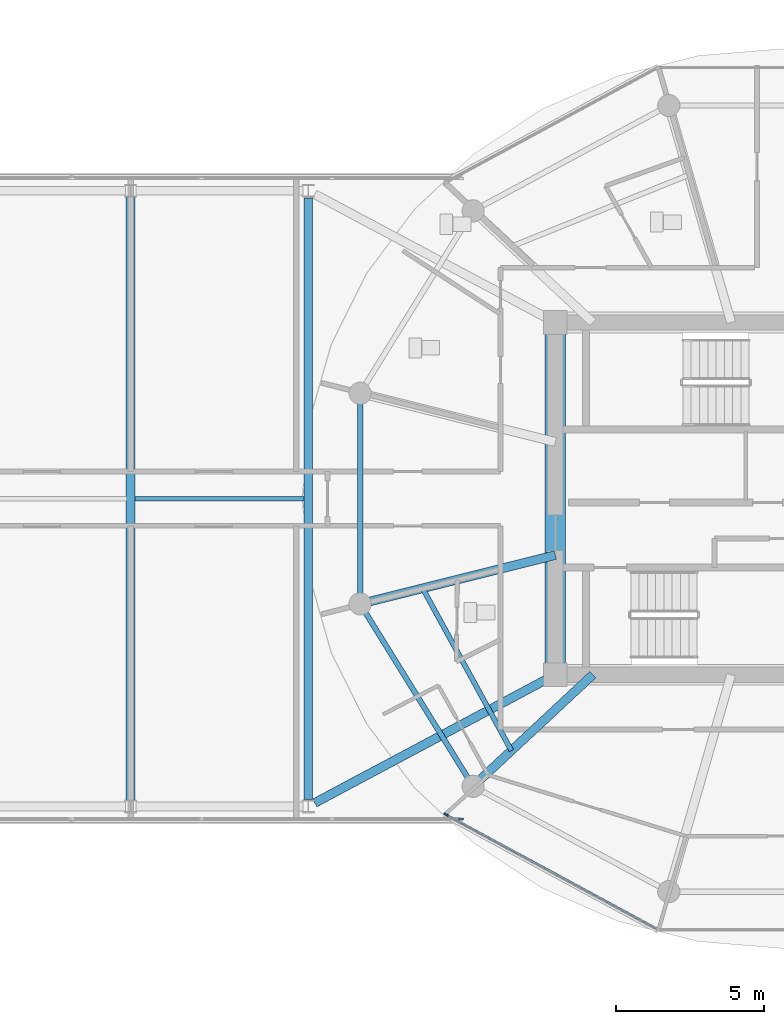
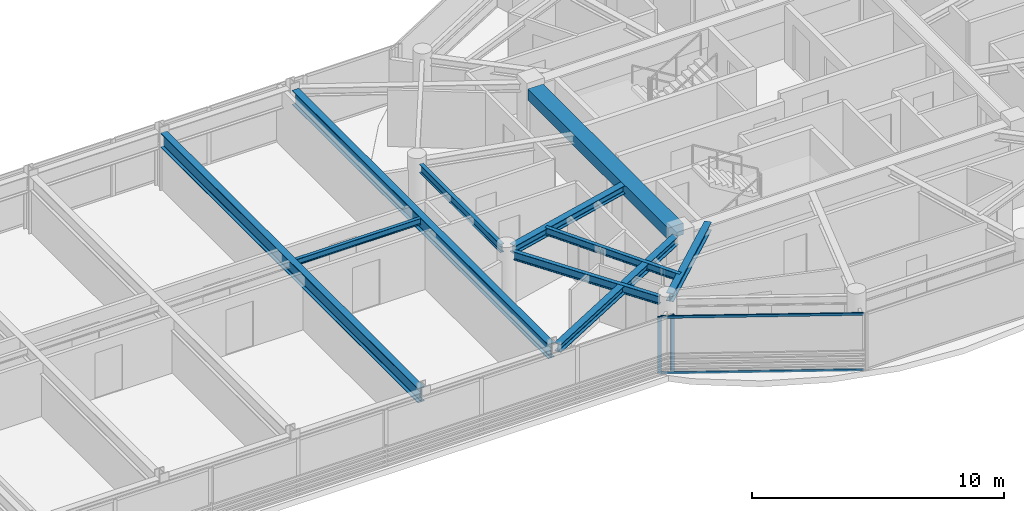
# One storey, part 7 of 26: 10 beams, 4 members, 2 elements without a shape of their own.
"""IFC4 building model written with IfcOpenShell, lengths in metres."""

from ifc_helpers import new_model, si_unit, direction, frame, origin, origin_2d, place, context, subcontext, project, spatial, rectangle, i_section, extrude, source, transform, mapped, material, layer, layer_set, material_profile, profile_set, type_object, type_shapes, element, aggregate, save


model = new_model("IFC4")

# Units and contexts
model_context = context("Model", 3, precision=1e-05, world=origin(), true_north=direction((0.0, 1.0)))
body_context = subcontext(model_context, "Body", "Model", "MODEL_VIEW")
ifc_project = project(units=[si_unit("LENGTHUNIT", "METRE"), si_unit("AREAUNIT", "SQUARE_METRE"), si_unit("VOLUMEUNIT", "CUBIC_METRE"), si_unit("PLANEANGLEUNIT", "RADIAN"), si_unit("MASSUNIT", "GRAM", prefix="KILO")], contexts=[model_context])

# Site, building, storey
site_placement = place(None, origin())
site = spatial("IfcSite", under=ifc_project, at=site_placement, CompositionType="ELEMENT")
building_placement = place(site_placement, origin())
building = spatial("IfcBuilding", under=site, at=building_placement, Name="Norrkilde Senior Care Towers", CompositionType="ELEMENT")
storey_placement = place(building_placement, frame((0.0, 0.0, 210.85009765625)))
storey = spatial("IfcBuildingStorey", under=building, at=storey_placement, Name="L65", CompositionType="ELEMENT", Elevation=210.85009765625)

# Beams
ifc_material_1 = material(Name="Concrete C60/75", Category="concrete")
ifc_material_profile_1 = material_profile(ifc_material_1, rectangle(XDim=0.699951171875, YDim=0.550048828125, at=origin_2d()), Name="RC BM 700x550")
ifc_profile_set_1 = profile_set([ifc_material_profile_1], Name="Concrete C60/75")
beam_type_1 = type_object("IfcBeamType", Name="Core Portal Coupling Beam 700x550", PredefinedType="USERDEFINED", material=ifc_profile_set_1)
shared_shape_1 = source(origin(), body_context, "Body", "SweptSolid", [
    extrude(rectangle(XDim=0.699951171875, YDim=0.550048828125, at=origin_2d()), origin(), (0.0, 0.0, 1.0), 11.14013671875),
])
type_shapes(beam_type_1, [shared_shape_1])
beam_1_placement = place(storey_placement, frame((20.35009765625, -5.570068359375, 2.48486328125), z_axis=(0.0, 1.0, 0.0), x_axis=(-1.0, 0.0, 0.0)))
element("IfcBeam", 1, at=beam_1_placement, inside=storey, type_object=beam_type_1, Name="L65 Core E W Coupling Girder", ObjectType="GIRDER", PredefinedType="USERDEFINED", context=body_context, shape_type="MappedRepresentation", body=[
    mapped(shared_shape_1, transform((0.0, 0.0, 0.0), x_axis=(1.0, 0.0, 0.0), y_axis=(0.0, 1.0, 0.0), z_axis=(0.0, 0.0, 1.0), scale=1.0)),
])
ifc_material_2 = material(Name="Steel S355", Category="steel")
ifc_material_profile_2 = material_profile(ifc_material_2, i_section(OverallWidth=0.179931640625, OverallDepth=0.39990234375, WebThickness=0.008544921875, FlangeThickness=0.013427734375, FilletRadius=0.02099609375, at=origin_2d()), Name="IPE 400")
ifc_profile_set_2 = profile_set([ifc_material_profile_2], Name="Steel S355")
beam_type_2 = type_object("IfcBeamType", Name="Perimeter Ring Spandrel Z4 IPE400", PredefinedType="SPANDREL", material=ifc_profile_set_2)
shared_shape_2 = source(origin(), body_context, "Body", "SweptSolid", [
    extrude(i_section(OverallWidth=0.179931640625, OverallDepth=0.39990234375, WebThickness=0.008544921875, FlangeThickness=0.013427734375, FilletRadius=0.02099609375, at=origin_2d()), origin(), (0.0, 0.0, 1.0), 6.58056640625),
])
beam_2_placement = place(storey_placement, frame((13.928955078125, -3.843505859375, 2.559814453125), z_axis=(0.526529583789, -0.850156807533, 0.0), x_axis=(0.850156807533, 0.526529583789, 0.0)))
element("IfcBeam", 2, at=beam_2_placement, inside=storey, type_object=beam_type_2, Name="L65 Drum E Perimeter Spandrel 07", PredefinedType="SPANDREL", context=body_context, shape_type="MappedRepresentation", body=[
    mapped(shared_shape_2, transform((0.0, 0.0, 0.0), x_axis=(1.0, 0.0, 0.0), y_axis=(0.0, 1.0, 0.0), z_axis=(0.0, 0.0, 1.0), scale=1.0)),
])
ifc_material_profile_3 = material_profile(ifc_material_2, i_section(OverallWidth=0.300048828125, OverallDepth=0.39990234375, WebThickness=0.013427734375, FlangeThickness=0.02392578125, FilletRadius=0.027099609375, at=origin_2d()), Name="HEB 400")
ifc_profile_set_3 = profile_set([ifc_material_profile_3], Name="Steel S355")
beam_type_3 = type_object("IfcBeamType", Name="Radial Floor Beam Z4 HEB400", PredefinedType="BEAM", material=ifc_profile_set_3)
shared_shape_3 = source(origin(), body_context, "Body", "SweptSolid", [
    extrude(i_section(OverallWidth=0.300048828125, OverallDepth=0.39990234375, WebThickness=0.013427734375, FlangeThickness=0.02392578125, FilletRadius=0.027099609375, at=origin_2d()), origin(), (0.0, 0.0, 1.0), 6.465087890625),
])
beam_3_placement = place(storey_placement, frame((20.35009765625, -1.910888671875, 2.559814453125), z_axis=(-0.970195788563, -0.242322371758, 0.0), x_axis=(0.242322371758, -0.970195788563, 0.0)))
element("IfcBeam", 3, at=beam_3_placement, inside=storey, type_object=beam_type_3, Name="L65 Drum E Radial Floor Beam 07", PredefinedType="BEAM", context=body_context, shape_type="MappedRepresentation", body=[
    mapped(shared_shape_3, transform((0.0, 0.0, 0.0), x_axis=(1.0, 0.0, 0.0), y_axis=(0.0, 1.0, 0.0), z_axis=(0.0, 0.0, 1.0), scale=1.0)),
])
shared_shape_4 = source(origin(), body_context, "Body", "SweptSolid", [
    extrude(i_section(OverallWidth=0.300048828125, OverallDepth=0.39990234375, WebThickness=0.013427734375, FlangeThickness=0.02392578125, FilletRadius=0.027099609375, at=origin_2d()), origin(), (0.0, 0.0, 1.0), 5.197998046875),
])
beam_4_placement = place(storey_placement, frame((21.6171875, -5.949951171875, 2.559814453125), z_axis=(-0.731448749334, -0.681896419625, 0.0), x_axis=(0.681896419625, -0.731448749334, 0.0)))
element("IfcBeam", 4, at=beam_4_placement, inside=storey, type_object=beam_type_3, Name="L65 Drum E Radial Floor Beam 08", PredefinedType="BEAM", context=body_context, shape_type="MappedRepresentation", body=[
    mapped(shared_shape_4, transform((0.0, 0.0, 0.0), x_axis=(1.0, 0.0, 0.0), y_axis=(0.0, 1.0, 0.0), z_axis=(0.0, 0.0, 1.0), scale=1.0)),
])
shared_shape_5 = source(origin(), body_context, "Body", "SweptSolid", [
    extrude(i_section(OverallWidth=0.179931640625, OverallDepth=0.39990234375, WebThickness=0.008544921875, FlangeThickness=0.013427734375, FilletRadius=0.02099609375, at=origin_2d()), origin(), (0.0, 0.0, 1.0), 6.44775390625),
])
type_shapes(beam_type_2, [shared_shape_2, shared_shape_5])
beam_5_placement = place(storey_placement, frame((13.752685546875, 3.223876953125, 2.559814453125), z_axis=(0.0, -1.0, 0.0), x_axis=(1.0, 0.0, 0.0)))
element("IfcBeam", 5, at=beam_5_placement, inside=storey, type_object=beam_type_2, Name="L65 Drum E Perimeter Spandrel 06", PredefinedType="SPANDREL", context=body_context, shape_type="MappedRepresentation", body=[
    mapped(shared_shape_5, transform((0.0, 0.0, 0.0), x_axis=(1.0, 0.0, 0.0), y_axis=(0.0, 1.0, 0.0), z_axis=(0.0, 0.0, 1.0), scale=1.0)),
])
ifc_material_profile_4 = material_profile(ifc_material_2, i_section(OverallWidth=0.169921875, OverallDepth=0.360107421875, WebThickness=0.008056640625, FlangeThickness=0.0126953125, FilletRadius=0.01806640625, at=origin_2d()), Name="IPE 360")
ifc_profile_set_4 = profile_set([ifc_material_profile_4], Name="Steel S355")
beam_type_4 = type_object("IfcBeamType", Name="Secondary Floor Joist IPE360", PredefinedType="JOIST", material=ifc_profile_set_4)
shared_shape_6 = source(origin(), body_context, "Body", "SweptSolid", [
    extrude(i_section(OverallWidth=0.169921875, OverallDepth=0.360107421875, WebThickness=0.008056640625, FlangeThickness=0.0126953125, FilletRadius=0.01806640625, at=origin_2d()), origin(), (0.0, 0.0, 1.0), 6.25146484375),
])
type_shapes(beam_type_4, [shared_shape_6])
beam_6_placement = place(storey_placement, frame((15.86376953125, -3.031494140625, 2.579833984375), z_axis=(0.480115752653, -0.877205143655, 0.0), x_axis=(0.877205143655, 0.480115752653, 0.0)))
element("IfcBeam", 6, at=beam_6_placement, inside=storey, type_object=beam_type_4, Name="L65 Drum E Secondary Floor Joist 3", PredefinedType="JOIST", context=body_context, shape_type="MappedRepresentation", body=[
    mapped(shared_shape_6, transform((0.0, 0.0, 0.0), x_axis=(1.0, 0.0, 0.0), y_axis=(0.0, 1.0, 0.0), z_axis=(0.0, 0.0, 1.0), scale=1.0)),
])
ifc_material_profile_5 = material_profile(ifc_material_2, i_section(OverallWidth=0.300048828125, OverallDepth=0.699951171875, WebThickness=0.01708984375, FlangeThickness=0.031982421875, FilletRadius=0.027099609375, at=origin_2d()), Name="HEB 700")
ifc_profile_set_5 = profile_set([ifc_material_profile_5], Name="Steel S355")
beam_type_5 = type_object("IfcBeamType", Name="Bridge Cross Girder HEB700", PredefinedType="USERDEFINED", material=ifc_profile_set_5)
shared_shape_7 = source(origin(), body_context, "Body", "SweptSolid", [
    extrude(i_section(OverallWidth=0.300048828125, OverallDepth=0.699951171875, WebThickness=0.01708984375, FlangeThickness=0.031982421875, FilletRadius=0.027099609375, at=origin_2d()), origin(), (0.0, 0.0, 1.0), 20.31982421875),
])
beam_7_placement = place(storey_placement, frame((12.0, -10.159912109375, 2.409912109375), z_axis=(0.0, 1.0, 0.0), x_axis=(-1.0, 0.0, 0.0)))
element("IfcBeam", 7, at=beam_7_placement, inside=storey, type_object=beam_type_5, Name="L65 Sky-Gate Bridge Cross Girder +12", ObjectType="GIRDER", PredefinedType="USERDEFINED", context=body_context, shape_type="MappedRepresentation", body=[
    mapped(shared_shape_7, transform((0.0, 0.0, 0.0), x_axis=(1.0, 0.0, 0.0), y_axis=(0.0, 1.0, 0.0), z_axis=(0.0, 0.0, 1.0), scale=1.0)),
])
shared_shape_8 = source(origin(), body_context, "Body", "SweptSolid", [
    extrude(i_section(OverallWidth=0.300048828125, OverallDepth=0.699951171875, WebThickness=0.01708984375, FlangeThickness=0.031982421875, FilletRadius=0.027099609375, at=origin_2d()), origin(), (0.0, 0.0, 1.0), 20.43994140625),
])
type_shapes(beam_type_5, [shared_shape_7, shared_shape_8])
beam_8_placement = place(storey_placement, frame((6.0, -10.219970703125, 2.409912109375), z_axis=(0.0, 1.0, 0.0), x_axis=(-1.0, 0.0, 0.0)))
element("IfcBeam", 8, at=beam_8_placement, inside=storey, type_object=beam_type_5, Name="L65 Sky-Gate Bridge Cross Girder +6", ObjectType="GIRDER", PredefinedType="USERDEFINED", context=body_context, shape_type="MappedRepresentation", body=[
    mapped(shared_shape_8, transform((0.0, 0.0, 0.0), x_axis=(1.0, 0.0, 0.0), y_axis=(0.0, 1.0, 0.0), z_axis=(0.0, 0.0, 1.0), scale=1.0)),
])
shared_shape_9 = source(origin(), body_context, "Body", "SweptSolid", [
    extrude(i_section(OverallWidth=0.300048828125, OverallDepth=0.39990234375, WebThickness=0.013427734375, FlangeThickness=0.02392578125, FilletRadius=0.027099609375, at=origin_2d()), origin(), (0.0, 0.0, 1.0), 8.831787109375),
])
type_shapes(beam_type_3, [shared_shape_3, shared_shape_4, shared_shape_9])
beam_9_placement = place(storey_placement, frame((12.220703125, -10.282470703125, 2.559814453125), z_axis=(0.882492172381, 0.470327083727, 0.0), x_axis=(-0.470327083727, 0.882492172381, 0.0)))
element("IfcBeam", 9, at=beam_9_placement, inside=storey, type_object=beam_type_3, Name="L65 Sky-Gate Bridge Girder S6", PredefinedType="BEAM", context=body_context, shape_type="MappedRepresentation", body=[
    mapped(shared_shape_9, transform((0.0, 0.0, 0.0), x_axis=(1.0, 0.0, 0.0), y_axis=(0.0, 1.0, 0.0), z_axis=(0.0, 0.0, 1.0), scale=1.0)),
])
ifc_material_profile_6 = material_profile(ifc_material_2, i_section(OverallWidth=0.14990234375, OverallDepth=0.300048828125, WebThickness=0.007080078125, FlangeThickness=0.0107421875, FilletRadius=0.014892578125, at=origin_2d()), Name="IPE 300")
ifc_profile_set_6 = profile_set([ifc_material_profile_6], Name="Steel S355")
beam_type_6 = type_object("IfcBeamType", Name="Bridge Deck Joist IPE300", PredefinedType="JOIST", material=ifc_profile_set_6)
shared_shape_10 = source(origin(), body_context, "Body", "SweptSolid", [
    extrude(i_section(OverallWidth=0.14990234375, OverallDepth=0.300048828125, WebThickness=0.007080078125, FlangeThickness=0.0107421875, FilletRadius=0.014892578125, at=origin_2d()), origin(), (0.0, 0.0, 1.0), 5.7099609375),
])
type_shapes(beam_type_6, [shared_shape_10])
beam_10_placement = place(storey_placement, frame((6.14501953125, 0.0, 2.60986328125), z_axis=(1.0, 0.0, 0.0), x_axis=(0.0, 1.0, 0.0)))
element("IfcBeam", 10, at=beam_10_placement, inside=storey, type_object=beam_type_6, Name="L65 Bridge Deck Joist 4", PredefinedType="JOIST", context=body_context, shape_type="MappedRepresentation", body=[
    mapped(shared_shape_10, transform((0.0, 0.0, 0.0), x_axis=(1.0, 0.0, 0.0), y_axis=(0.0, 1.0, 0.0), z_axis=(0.0, 0.0, 1.0), scale=1.0)),
])

# Curtain wall, members
ifc_material_3 = material(Name="Triple Low-E Insulated Glazing", Category="glass")
ifc_layer_1 = layer(ifc_material_3, 0.18505859375)
ifc_layer_set_1 = layer_set([ifc_layer_1], Name="Triple Low-E Insulated Glazing")
curtain_wall_type_1 = type_object("IfcCurtainWallType", Name="CW6 Zone 4 Crown Pavilion Curtain Wall", PredefinedType="NOTDEFINED", material=ifc_layer_set_1)
curtain_wall_1_placement = place(storey_placement, origin())
curtain_wall_1 = element("IfcCurtainWall", 11, at=curtain_wall_1_placement, inside=storey, type_object=curtain_wall_type_1, Name="L65 Drum E Curtain Wall 07", PredefinedType="NOTDEFINED")
ifc_material_4 = material(Name="Anodised Aluminium", Category="aluminium")
ifc_material_profile_7 = material_profile(ifc_material_4, rectangle(XDim=0.06005859375, YDim=0.1201171875, at=origin_2d()), Name="ALU TRAN 60x120")
ifc_profile_set_7 = profile_set([ifc_material_profile_7], Name="Anodised Aluminium")
member_type_1 = type_object("IfcMemberType", Name="Curtain Wall Transom Typical 60x120", PredefinedType="USERDEFINED", material=ifc_profile_set_7)
shared_shape_11 = source(origin(), body_context, "Body", "SweptSolid", [
    extrude(rectangle(XDim=0.06005859375, YDim=0.1201171875, at=origin_2d()), origin(), (0.0, 0.0, 1.0), 8.0673828125),
])
type_shapes(member_type_1, [shared_shape_11])
member_1_placement = place(storey_placement, frame((23.781005859375, -14.53515625, 0.02978515625), z_axis=(-0.87937750072, 0.476125205411, 0.0), x_axis=(-0.476125205411, -0.87937750072, 0.0)))
member_1 = element("IfcMember", 12, at=member_1_placement, type_object=member_type_1, Name="CW-6 transom 1.1", ObjectType="TRANSOM", PredefinedType="USERDEFINED", context=body_context, shape_type="MappedRepresentation", body=[
    mapped(shared_shape_11, transform((0.0, 0.0, 0.0), x_axis=(1.0, 0.0, 0.0), y_axis=(0.0, 1.0, 0.0), z_axis=(0.0, 0.0, 1.0), scale=1.0)),
])
member_2_placement = place(storey_placement, frame((23.781005859375, -14.53515625, 2.72998046875), z_axis=(-0.87937750072, 0.476125205411, 0.0), x_axis=(-0.476125205411, -0.87937750072, 0.0)))
member_2 = element("IfcMember", 13, at=member_2_placement, type_object=member_type_1, Name="CW-6 transom 1.2", ObjectType="TRANSOM", PredefinedType="USERDEFINED", context=body_context, shape_type="MappedRepresentation", body=[
    mapped(shared_shape_11, transform((0.0, 0.0, 0.0), x_axis=(1.0, 0.0, 0.0), y_axis=(0.0, 1.0, 0.0), z_axis=(0.0, 0.0, 1.0), scale=1.0)),
])
ifc_material_profile_8 = material_profile(ifc_material_4, rectangle(XDim=0.06494140625, YDim=0.14990234375, at=origin_2d()), Name="ALU MULL 65x150")
ifc_profile_set_8 = profile_set([ifc_material_profile_8], Name="Anodised Aluminium")
member_type_2 = type_object("IfcMemberType", Name="Curtain Wall Mullion Z3-Z4 65x150", PredefinedType="MULLION", material=ifc_profile_set_8)
shared_shape_12 = source(origin(), body_context, "Body", "SweptSolid", [
    extrude(rectangle(XDim=0.06494140625, YDim=0.14990234375, at=origin_2d()), origin(), (0.0, 0.0, 1.0), 2.760009765625),
])
type_shapes(member_type_2, [shared_shape_12])
member_3_placement = place(storey_placement, frame((16.658203125, -10.6787109375, 0.0), z_axis=(0.0, 0.0, 1.0), x_axis=(-0.476132676136, -0.879373455772, 0.0)))
member_3 = element("IfcMember", 14, at=member_3_placement, type_object=member_type_2, Name="CW-6 mullion 2", PredefinedType="MULLION", context=body_context, shape_type="MappedRepresentation", body=[
    mapped(shared_shape_12, transform((0.0, 0.0, 0.0), x_axis=(1.0, 0.0, 0.0), y_axis=(0.0, 1.0, 0.0), z_axis=(0.0, 0.0, 1.0), scale=1.0)),
])
aggregate(curtain_wall_1, [member_3, member_1, member_2])

# Curtain wall, member
ifc_layer_2 = layer(ifc_material_3, 0.2099609375)
ifc_layer_set_2 = layer_set([ifc_layer_2], Name="Triple Low-E Insulated Glazing")
curtain_wall_type_2 = type_object("IfcCurtainWallType", Name="CW5 Sky-Gate Bridge Curtain Wall", PredefinedType="NOTDEFINED", material=ifc_layer_set_2)
curtain_wall_2_placement = place(storey_placement, origin())
curtain_wall_2 = element("IfcCurtainWall", 15, at=curtain_wall_2_placement, inside=storey, type_object=curtain_wall_type_2, Name="L65 Sky-Gate Bridge South Curtain Wall 1", PredefinedType="NOTDEFINED")
ifc_material_profile_9 = material_profile(ifc_material_4, rectangle(XDim=0.070068359375, YDim=0.169921875, at=origin_2d()), Name="ALU MULL 70x170")
ifc_profile_set_9 = profile_set([ifc_material_profile_9], Name="Anodised Aluminium")
member_type_3 = type_object("IfcMemberType", Name="Curtain Wall Mullion Heavy 70x170", PredefinedType="MULLION", material=ifc_profile_set_9)
shared_shape_13 = source(origin(), body_context, "Body", "SweptSolid", [
    extrude(rectangle(XDim=0.070068359375, YDim=0.169921875, at=origin_2d()), origin(), (0.0, 0.0, 1.0), 2.760009765625),
])
type_shapes(member_type_3, [shared_shape_13])
member_4_placement = place(storey_placement, frame((17.1650390625, -10.820068359375, 0.0), z_axis=(0.0, 0.0, 1.0), x_axis=(0.0, -1.0, 0.0)))
member_4 = element("IfcMember", 16, at=member_4_placement, type_object=member_type_3, Name="CW-5 mullion 1", PredefinedType="MULLION", context=body_context, shape_type="MappedRepresentation", body=[
    mapped(shared_shape_13, transform((0.0, 0.0, 0.0), x_axis=(1.0, 0.0, 0.0), y_axis=(0.0, 1.0, 0.0), z_axis=(0.0, 0.0, 1.0), scale=1.0)),
])
aggregate(curtain_wall_2, [member_4])

save(model, "model.ifc")
